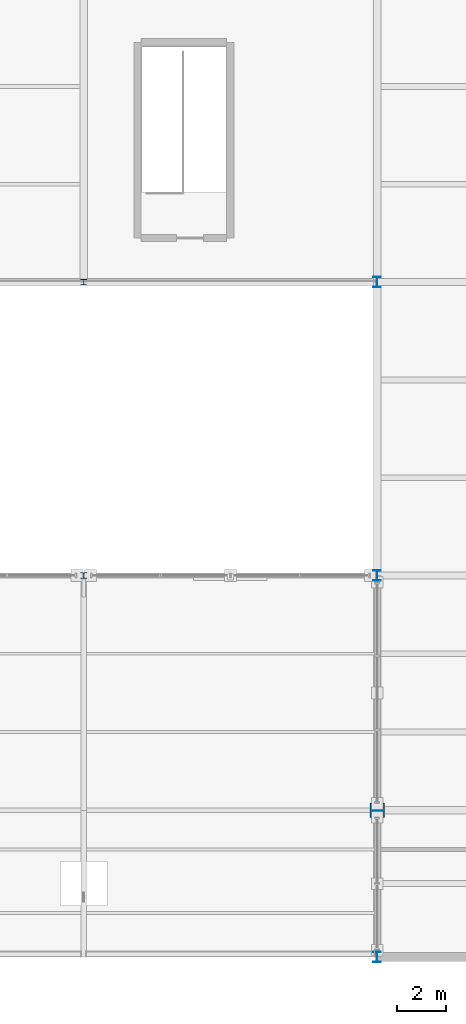
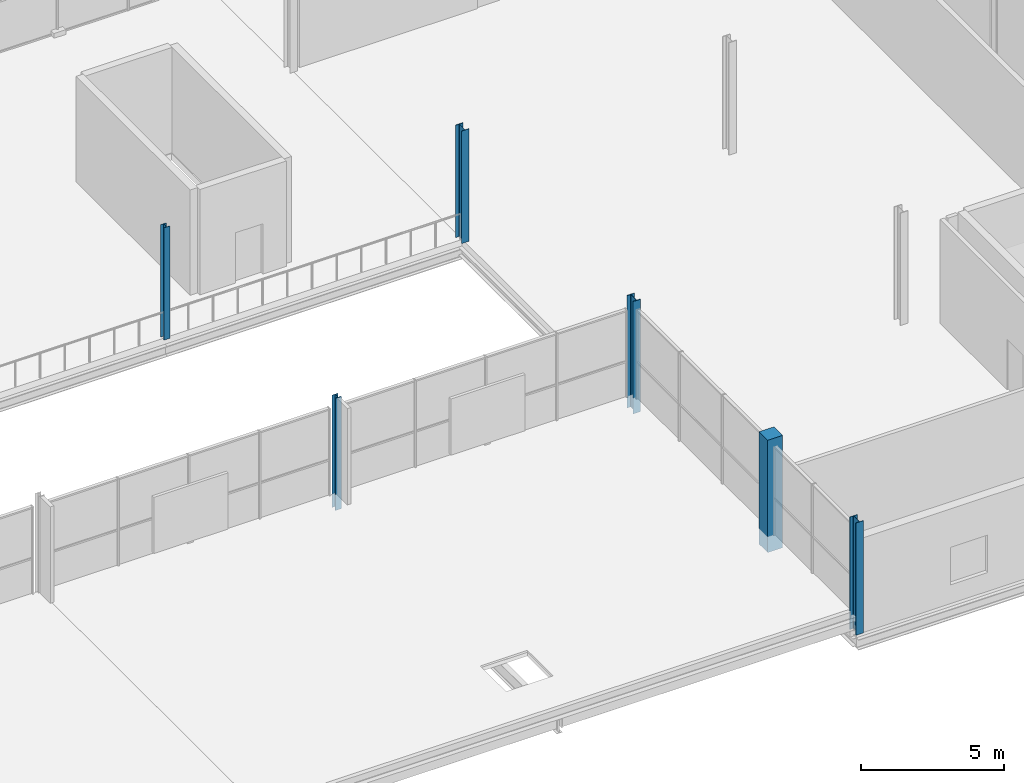
# One storey, part 16 of 159: 6 columns.
"""IFC4 building model written with IfcOpenShell, lengths in metres."""

from ifc_helpers import new_model, si_unit, direction, frame, origin, origin_2d, place, context, subcontext, project, spatial, rectangle, i_section, extrude, material, material_profile, profile_set, type_object, element, save


model = new_model("IFC4")

# Units and contexts
model_context = context("Model", 3, precision=1e-05, world=origin(), true_north=direction((0.0, 1.0)))
body_context = subcontext(model_context, "Body", "Model", "MODEL_VIEW")
ifc_project = project(units=[si_unit("LENGTHUNIT", "METRE"), si_unit("AREAUNIT", "SQUARE_METRE"), si_unit("VOLUMEUNIT", "CUBIC_METRE"), si_unit("PLANEANGLEUNIT", "RADIAN"), si_unit("MASSUNIT", "GRAM", prefix="KILO")], contexts=[model_context])

# Site, building, storey
site_placement = place(None, origin())
site = spatial("IfcSite", under=ifc_project, at=site_placement, CompositionType="ELEMENT")
building_placement = place(site_placement, origin())
building = spatial("IfcBuilding", under=site, at=building_placement, Name="Merenkruunu Market Hall", CompositionType="ELEMENT")
storey_placement = place(building_placement, frame((0.0, 0.0, 5.39990234375)))
storey = spatial("IfcBuildingStorey", under=building, at=storey_placement, Name="L01", CompositionType="ELEMENT", Elevation=5.39990234375)

# Columns
ifc_material_1 = material(Name="Steel S355J2", Category="steel")
ifc_material_profile_1 = material_profile(ifc_material_1, i_section(OverallWidth=0.300048828125, OverallDepth=0.43994140625, WebThickness=0.011474609375, FlangeThickness=0.02099609375, FilletRadius=0.027099609375, at=origin_2d()), Name="HEA 450")
ifc_profile_set_1 = profile_set([ifc_material_profile_1], Name="Steel S355J2")
column_type_1 = type_object("IfcColumnType", Name="Structural Column C07", PredefinedType="COLUMN", material=ifc_profile_set_1)
for number, where, z_axis, x_axis, name in (
    (1, (148.800048828125, 0.0, 0.0), (0.0, 0.0, 1.0), (1.0, 0.0, 0.0), "COL-L01-Q-01"),
    (2, (148.800048828125, 15.60009765625, 0.0), (0.0, 0.0, 1.0), (1.0, 0.0, 0.0), "COL-L01-Q-03"),
    (3, (148.800048828125, 27.60009765625, 0.0), (0.0, 0.0, 1.0), (1.0, 0.0, 0.0), "COL-L01-Q-04"),
):
    element("IfcColumn", number, at=place(storey_placement, frame(where, z_axis=z_axis, x_axis=x_axis)), inside=storey, type_object=column_type_1, Name=name, PredefinedType="COLUMN", context=body_context, shape_type="SweptSolid", body=[
        extrude(i_section(OverallWidth=0.300048828125, OverallDepth=0.43994140625, WebThickness=0.011474609375, FlangeThickness=0.02099609375, FilletRadius=0.027099609375, at=origin_2d()), origin(), (0.0, 0.0, 1.0), 4.800048828125),
    ])
ifc_material_profile_2 = material_profile(ifc_material_1, i_section(OverallWidth=0.239990234375, OverallDepth=0.22998046875, WebThickness=0.007568359375, FlangeThickness=0.011962890625, FilletRadius=0.02099609375, at=origin_2d()), Name="HEA 240")
ifc_profile_set_2 = profile_set([ifc_material_profile_2], Name="Steel S355J2")
column_type_2 = type_object("IfcColumnType", Name="Structural Column C10", PredefinedType="COLUMN", material=ifc_profile_set_2)
for number, where, z_axis, x_axis, name in (
    (4, (136.800048828125, 15.60009765625, 0.0), (0.0, 0.0, 1.0), (1.0, 0.0, 0.0), "COL-L01-P-03"),
    (5, (136.800048828125, 27.60009765625, 0.0), (0.0, 0.0, 1.0), (1.0, 0.0, 0.0), "COL-L01-P-04"),
):
    element("IfcColumn", number, at=place(storey_placement, frame(where, z_axis=z_axis, x_axis=x_axis)), inside=storey, type_object=column_type_2, Name=name, PredefinedType="COLUMN", context=body_context, shape_type="SweptSolid", body=[
        extrude(i_section(OverallWidth=0.239990234375, OverallDepth=0.22998046875, WebThickness=0.007568359375, FlangeThickness=0.011962890625, FilletRadius=0.02099609375, at=origin_2d()), origin(), (0.0, 0.0, 1.0), 4.800048828125),
    ])
ifc_material_2 = material(Name="Concrete C35/45", Category="concrete")
ifc_material_profile_3 = material_profile(ifc_material_2, rectangle(XDim=0.60009765625, YDim=0.60009765625, at=origin_2d()), Name="RC 600x600")
ifc_profile_set_3 = profile_set([ifc_material_profile_3], Name="Concrete C35/45")
column_type_3 = type_object("IfcColumnType", Name="Structural Column C17", PredefinedType="COLUMN", material=ifc_profile_set_3)
column_placement = place(storey_placement, frame((148.800048828125, 6.0, 0.0), z_axis=(0.0, 0.0, 1.0), x_axis=(1.0, 0.0, 0.0)))
element("IfcColumn", 6, at=column_placement, inside=storey, type_object=column_type_3, Name="COL-L01-Q-02", PredefinedType="COLUMN", context=body_context, shape_type="SweptSolid", body=[
    extrude(rectangle(XDim=0.60009765625, YDim=0.60009765625, at=origin_2d()), origin(), (0.0, 0.0, 1.0), 4.800048828125),
])

save(model, "model.ifc")
